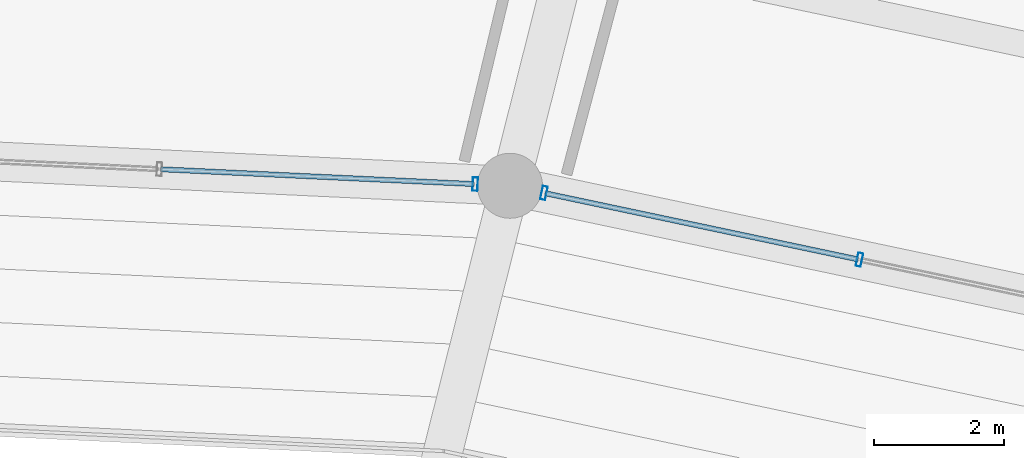
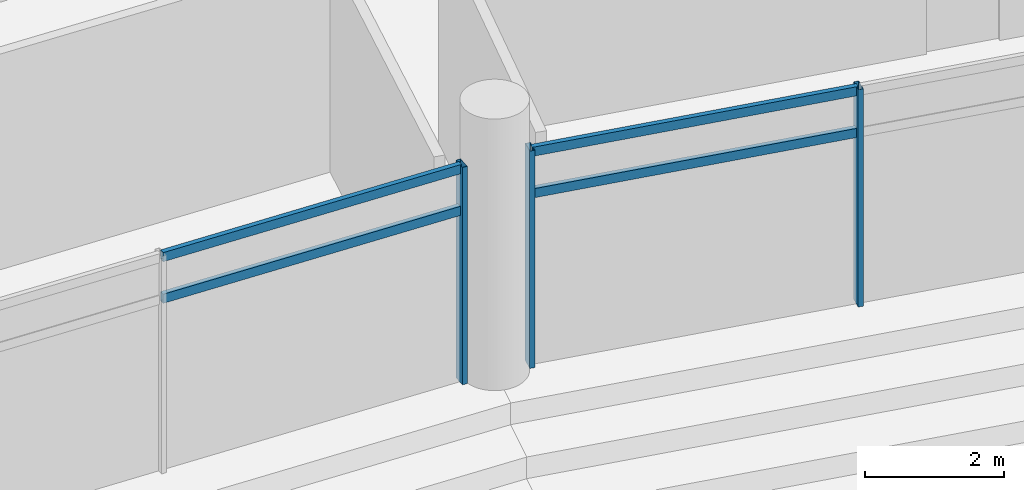
# One storey, part 97 of 171: 7 members, 2 elements without a shape of their own.
"""IFC4 building model written with IfcOpenShell, lengths in metres."""

import ifcopenshell
import ifcopenshell.guid

model = None  # the IFC model being written
_history = None  # IfcOwnerHistory: only IFC2X3 demands one
_inside = {}  # id of a spatial element -> (the spatial element, [elements in it])
_under = {}  # id of a project, library or spatial element -> (it, [spatial elements below it])
_declared = {}  # id of a project -> (the project, [libraries it declares])
_typed = {}  # id of a type object -> (the type object, [elements of that type])
_made_of = {}  # id of a material, layer set ... -> (it, [elements and type objects made of it])


def new_model(schema):
    """Start an empty IFC model of exactly this schema.

    Asked for "IFC4X3", IfcOpenShell would pick the latest addendum, in which some entities
    have other attributes; the version numbers below select the first issue.
    IFC2X3 requires an IfcOwnerHistory on every rooted entity: one is made here for all.
    """
    global model, _history
    if schema == "IFC4X3":
        model = ifcopenshell.file(schema_version=(4, 3, 0, 0))
    else:
        model = ifcopenshell.file(schema=schema)
    _inside.clear()
    _under.clear()
    _declared.clear()
    _typed.clear()
    _made_of.clear()
    _history = None
    if model.schema == "IFC2X3":
        org = make("IfcOrganization", Name="unknown")
        user = make(
            "IfcPersonAndOrganization",
            ThePerson=make("IfcPerson", FamilyName="unknown"),
            TheOrganization=org,
        )
        app = make(
            "IfcApplication",
            ApplicationDeveloper=org,
            Version="unknown",
            ApplicationFullName="unknown",
            ApplicationIdentifier="unknown",
        )
        _history = make(
            "IfcOwnerHistory",
            OwningUser=user,
            OwningApplication=app,
            ChangeAction="ADDED",
            CreationDate=0,
        )
    return model


def make(cls, **values):
    """One entity of the class cls with the attributes given. An attribute that is None is left unset."""
    return model.create_entity(
        cls, **{name: value for name, value in values.items() if value is not None}
    )


def rooted(cls, **values):
    """An entity with a GlobalId (a new one), such as an element, a storey or a relation."""
    return make(cls, GlobalId=ifcopenshell.guid.new(), OwnerHistory=_history, **values)


def si_unit(unit_type, name, prefix=None):
    """IfcSIUnit, for example si_unit("LENGTHUNIT", "METRE", prefix="MILLI")."""
    return make("IfcSIUnit", UnitType=unit_type, Prefix=prefix, Name=name)


def assignment(units):
    """IfcUnitAssignment: the units of a project."""
    return None if units is None else make("IfcUnitAssignment", Units=units)


def point(xyz):
    """IfcCartesianPoint."""
    return None if xyz is None else make("IfcCartesianPoint", Coordinates=xyz)


def direction(xyz):
    """IfcDirection."""
    return None if xyz is None else make("IfcDirection", DirectionRatios=xyz)


def frame(location, z_axis=None, x_axis=None):
    """IfcAxis2Placement3D, a coordinate frame: its origin and axes. An axis left out is left unset."""
    return make(
        "IfcAxis2Placement3D",
        Location=point(location),
        Axis=direction(z_axis),
        RefDirection=direction(x_axis),
    )


def frame_2d(location, x_axis=None):
    """IfcAxis2Placement2D, a coordinate frame in the plane: its origin and x axis."""
    return make(
        "IfcAxis2Placement2D", Location=point(location), RefDirection=direction(x_axis)
    )


def origin():
    """The frame at (0, 0, 0) with its axes left unset."""
    return frame((0.0, 0.0, 0.0))


def origin_2d():
    """The frame at (0, 0) in the plane with its x axis left unset."""
    return frame_2d((0.0, 0.0))


def place(relative_to, where):
    """IfcLocalPlacement: puts the frame where relative to a parent placement (None: the world)."""
    return make(
        "IfcLocalPlacement", PlacementRelTo=relative_to, RelativePlacement=where
    )


def context(
    kind, dimensions, precision=None, world=None, true_north=None, identifier=None
):
    """IfcGeometricRepresentationContext, for example the 3D "Model" context."""
    return make(
        "IfcGeometricRepresentationContext",
        ContextIdentifier=identifier,
        ContextType=kind,
        CoordinateSpaceDimension=dimensions,
        Precision=precision,
        WorldCoordinateSystem=world,
        TrueNorth=true_north,
    )


def subcontext(parent, identifier, kind, view, scale=None):
    """IfcGeometricRepresentationSubContext, for example "Body" below "Model"."""
    return make(
        "IfcGeometricRepresentationSubContext",
        ContextIdentifier=identifier,
        ContextType=kind,
        ParentContext=parent,
        TargetScale=scale,
        TargetView=view,
    )


def project(units=None, contexts=None):
    """IfcProject with its units and contexts."""
    return rooted(
        "IfcProject",
        Name="project",
        RepresentationContexts=contexts,
        UnitsInContext=assignment(units),
    )


def spatial(cls, under=None, at=None, **own):
    """A site, building, storey or space (cls), placed at a placement, below another one or the project."""
    s = rooted(cls, ObjectPlacement=at, **own)
    if under is not None:
        _under.setdefault(under.id(), (under, []))[1].append(s)
    return s


def profile(cls, at=None, kind="AREA", **sizes):
    """A parametric profile (cls). Its sizes go by their IFC names, for example OverallWidth=200.0."""
    return make(cls, ProfileType=kind, Position=at, **sizes)


def hollow_rectangle(**sizes):
    """IfcRectangleHollowProfileDef."""
    return profile("IfcRectangleHollowProfileDef", **sizes)


def extrude(swept, where, along, depth):
    """IfcExtrudedAreaSolid: the profile swept, set in the frame where, extruded along a direction by depth."""
    return make(
        "IfcExtrudedAreaSolid",
        SweptArea=swept,
        Position=where,
        ExtrudedDirection=direction(along),
        Depth=depth,
    )


def shape(context_of_items, identifier, shape_type, items):
    """IfcShapeRepresentation: the items that make up one representation, for example the "Body"."""
    return make(
        "IfcShapeRepresentation",
        ContextOfItems=context_of_items,
        RepresentationIdentifier=identifier,
        RepresentationType=shape_type,
        Items=items,
    )


def material(Name=None, Category=None):
    """IfcMaterial."""
    return make("IfcMaterial", Name=Name, Category=Category)


def layer(
    of_material, thickness, ventilated=None, Name=None, Category=None, Priority=None
):
    """IfcMaterialLayer: one layer of a wall or slab, of a material (None: an air gap)."""
    return make(
        "IfcMaterialLayer",
        Material=of_material,
        LayerThickness=thickness,
        IsVentilated=ventilated,
        Name=Name,
        Category=Category,
        Priority=Priority,
    )


def layer_set(layers, Name=None):
    """IfcMaterialLayerSet."""
    return make("IfcMaterialLayerSet", MaterialLayers=layers, LayerSetName=Name)


def material_profile(
    of_material, cross_section, Name=None, Category=None, Priority=None
):
    """IfcMaterialProfile: a cross section and its material."""
    return make(
        "IfcMaterialProfile",
        Name=Name,
        Material=of_material,
        Profile=cross_section,
        Priority=Priority,
        Category=Category,
    )


def profile_set(profiles, Name=None, composite=None):
    """IfcMaterialProfileSet."""
    return make(
        "IfcMaterialProfileSet",
        Name=Name,
        MaterialProfiles=profiles,
        CompositeProfile=composite,
    )


def made_of(thing, what):
    """Note that an element or type object is made of a material, layer set ...; save() writes the relation."""
    if what is not None:
        _made_of.setdefault(what.id(), (what, []))[1].append(thing)
    return thing


def type_object(cls, material=None, **own):
    """A type object (cls), such as IfcWallType, which elements share."""
    return made_of(rooted(cls, **own), material)


def element(
    cls,
    number,
    at=None,
    inside=None,
    cuts=None,
    type_object=None,
    material=None,
    context=None,
    identifier="Body",
    shape_type=None,
    held_by="IfcProductDefinitionShape",
    body=None,
    shapes=None,
    **own,
):
    """One element of the class cls, such as IfcWall. Its Tag is "e" and its number.

    at: its placement. inside: the storey or other place that contains it. cuts: it is an
    opening in that element (IfcRelVoidsElement). A single representation is given by context,
    identifier, shape_type and body (its items); several are given by shapes. held_by: the class
    of the entity that holds the representations. save() writes the other relations.
    """
    e = rooted(cls, Tag="e%d" % number, ObjectPlacement=at, **own)
    if body is not None:
        shapes = [shape(context, identifier, shape_type, body)]
    if shapes is not None:
        e.Representation = make(held_by, Representations=shapes)
    if inside is not None:
        _inside.setdefault(inside.id(), (inside, []))[1].append(e)
    if cuts is not None:
        rooted(
            "IfcRelVoidsElement", RelatingBuildingElement=cuts, RelatedOpeningElement=e
        )
    if type_object is not None:
        _typed.setdefault(type_object.id(), (type_object, []))[1].append(e)
    return made_of(e, material)


def aggregate(whole, parts):
    """IfcRelAggregates: a whole, such as a stair, and the parts it consists of."""
    return rooted("IfcRelAggregates", RelatingObject=whole, RelatedObjects=parts)


def save(model, path):
    """Write the relations noted so far, then the file.

    IfcRelAggregates (storeys below a building ...), IfcRelContainedInSpatialStructure (elements
    in a storey), IfcRelDefinesByType, IfcRelAssociatesMaterial and IfcRelDeclares: one each for
    every whole, place, type object, material and project.
    """
    for whole, parts in _under.values():
        aggregate(whole, parts)
    for where, things in _inside.values():
        rooted(
            "IfcRelContainedInSpatialStructure",
            RelatedElements=things,
            RelatingStructure=where,
        )
    for kind, things in _typed.values():
        rooted("IfcRelDefinesByType", RelatedObjects=things, RelatingType=kind)
    for what, things in _made_of.values():
        rooted("IfcRelAssociatesMaterial", RelatedObjects=things, RelatingMaterial=what)
    for by, libraries in _declared.values():
        rooted("IfcRelDeclares", RelatingContext=by, RelatedDefinitions=libraries)
    model.write(path)


model = new_model("IFC4")

# Units and contexts
model_context = context("Model", 3, precision=1e-05, world=origin(), true_north=direction((0.0, 1.0)))
body_context = subcontext(model_context, "Body", "Model", "MODEL_VIEW")
ifc_project = project(units=[si_unit("LENGTHUNIT", "METRE"), si_unit("AREAUNIT", "SQUARE_METRE"), si_unit("VOLUMEUNIT", "CUBIC_METRE"), si_unit("PLANEANGLEUNIT", "RADIAN"), si_unit("MASSUNIT", "GRAM", prefix="KILO")], contexts=[model_context])

# Site, building, storey
site_placement = place(None, origin())
site = spatial("IfcSite", under=ifc_project, at=site_placement, CompositionType="ELEMENT")
building_placement = place(site_placement, origin())
building = spatial("IfcBuilding", under=site, at=building_placement, Name="Kazemori Nagisa Stadium", CompositionType="ELEMENT")
storey_placement = place(building_placement, frame((0.0, 0.0, 15.639892578125)))
storey = spatial("IfcBuildingStorey", under=building, at=storey_placement, Name="L03", CompositionType="ELEMENT", Elevation=15.639892578125)

# Curtain wall, members
ifc_material_1 = material(Name="Anodised aluminium 6063-T5", Category="aluminium")
ifc_layer_1 = layer(ifc_material_1, 0.2099609375, Name="Anodised aluminium 6063-T5", Category="aluminium")
ifc_layer_set_1 = layer_set([ifc_layer_1], Name="Anodised aluminium 6063-T5")
curtain_wall_type_1 = type_object("IfcCurtainWallType", Name="CW_L03B_75", PredefinedType="USERDEFINED", material=ifc_layer_set_1)
curtain_wall_1_placement = place(storey_placement, origin())
curtain_wall_1 = element("IfcCurtainWall", 1, at=curtain_wall_1_placement, inside=storey, type_object=curtain_wall_type_1, Name="Unitised curtain wall CW-L03B-75 L03", ObjectType="UNITISED CURTAIN WALL", PredefinedType="USERDEFINED")
ifc_material_2 = material(Name="Aluminium 6063-T5 anodised", Category="aluminium")
ifc_material_profile_1 = material_profile(ifc_material_2, hollow_rectangle(XDim=0.080078125, YDim=0.2099609375, WallThickness=0.0048828125, at=origin_2d()), Name="ALU-MULL-80x210x5")
ifc_profile_set_1 = profile_set([ifc_material_profile_1], Name="Aluminium 6063-T5 anodised")
member_type_1 = type_object("IfcMemberType", Name="Mullion_M02", PredefinedType="MULLION", material=ifc_profile_set_1)
member_1_placement = place(storey_placement, frame((144.018310546875, 162.903076171875, 0.0), z_axis=(0.0, 0.0, 1.0), x_axis=(-0.978344955407, 0.206981033502, 0.0)))
member_1 = element("IfcMember", 2, at=member_1_placement, type_object=member_type_1, Name="Curtain wall mullion CW-L03B-75-M3", PredefinedType="MULLION", context=body_context, shape_type="SweptSolid", body=[
    extrude(hollow_rectangle(XDim=0.080078125, YDim=0.2099609375, WallThickness=0.0048828125, at=origin_2d()), origin(), (0.0, 0.0, 1.0), 3.81005859375),
])
member_2_placement = place(storey_placement, frame((139.16552734375, 163.9296875, 0.0), z_axis=(0.0, 0.0, 1.0), x_axis=(-0.978344955407, 0.206981033502, 0.0)))
member_2 = element("IfcMember", 3, at=member_2_placement, type_object=member_type_1, Name="Curtain wall mullion CW-L03B-75-M4", PredefinedType="MULLION", context=body_context, shape_type="SweptSolid", body=[
    extrude(hollow_rectangle(XDim=0.080078125, YDim=0.2099609375, WallThickness=0.0048828125, at=origin_2d()), origin(), (0.0, 0.0, 1.0), 3.81005859375),
])

# Curtain wall, member
ifc_layer_2 = layer(ifc_material_1, 0.2099609375, Name="Anodised aluminium 6063-T5", Category="aluminium")
ifc_layer_set_2 = layer_set([ifc_layer_2], Name="Anodised aluminium 6063-T5")
curtain_wall_type_2 = type_object("IfcCurtainWallType", Name="CW_L03B_73", PredefinedType="USERDEFINED", material=ifc_layer_set_2)
curtain_wall_2_placement = place(storey_placement, origin())
curtain_wall_2 = element("IfcCurtainWall", 4, at=curtain_wall_2_placement, inside=storey, type_object=curtain_wall_type_2, Name="Unitised curtain wall CW-L03B-73 L03", ObjectType="UNITISED CURTAIN WALL", PredefinedType="USERDEFINED")
member_3_placement = place(storey_placement, frame((138.10791015625, 164.065673828125, 0.0), z_axis=(0.0, 0.0, 1.0), x_axis=(-0.998884022476, 0.047230388971, 0.0)))
member_3 = element("IfcMember", 5, at=member_3_placement, type_object=member_type_1, Name="Curtain wall mullion CW-L03B-73-M1", PredefinedType="MULLION", context=body_context, shape_type="SweptSolid", body=[
    extrude(hollow_rectangle(XDim=0.080078125, YDim=0.2099609375, WallThickness=0.0048828125, at=origin_2d()), origin(), (0.0, 0.0, 1.0), 3.81005859375),
])

# Member
ifc_material_profile_2 = material_profile(ifc_material_2, hollow_rectangle(XDim=0.080078125, YDim=0.159912109375, WallThickness=0.00390625, at=origin_2d()), Name="ALU-TRAN-80x160x4")
ifc_profile_set_2 = profile_set([ifc_material_profile_2], Name="Aluminium 6063-T5 anodised")
member_type_2 = type_object("IfcMemberType", Name="Transom_T02", PredefinedType="USERDEFINED", material=ifc_profile_set_2)
member_4_placement = place(storey_placement, frame((143.998779296875, 162.9072265625, 3.010009765625), z_axis=(-0.978346611518, 0.206973205348, 0.0), x_axis=(-0.206973205348, -0.978346611518, 0.0)))
member_4 = element("IfcMember", 6, at=member_4_placement, type_object=member_type_2, Name="Curtain wall transom CW-L03B-75-T3-mid", ObjectType="TRANSOM", PredefinedType="USERDEFINED", context=body_context, shape_type="SweptSolid", body=[
    extrude(hollow_rectangle(XDim=0.080078125, YDim=0.159912109375, WallThickness=0.00390625, at=origin_2d()), origin(), (0.0, 0.0, 1.0), 4.919921875),
])

member_5_placement = place(storey_placement, frame((143.998779296875, 162.9072265625, 3.739990234375), z_axis=(-0.978346611518, 0.206973205348, 0.0), x_axis=(-0.206973205348, -0.978346611518, 0.0)))
member_5 = element("IfcMember", 7, at=member_5_placement, type_object=member_type_2, Name="Curtain wall transom CW-L03B-75-T3-head", ObjectType="TRANSOM", PredefinedType="USERDEFINED", context=body_context, shape_type="SweptSolid", body=[
    extrude(hollow_rectangle(XDim=0.080078125, YDim=0.159912109375, WallThickness=0.00390625, at=origin_2d()), origin(), (0.0, 0.0, 1.0), 4.919921875),
])

aggregate(curtain_wall_1, [member_1, member_2, member_4, member_5])

member_6_placement = place(storey_placement, frame((138.087890625, 164.066650390625, 3.010009765625), z_axis=(-0.998884227355, 0.047226055748, 0.0), x_axis=(-0.047226055748, -0.998884227355, 0.0)))
member_6 = element("IfcMember", 8, at=member_6_placement, type_object=member_type_2, Name="Curtain wall transom CW-L03B-73-T1-mid", ObjectType="TRANSOM", PredefinedType="USERDEFINED", context=body_context, shape_type="SweptSolid", body=[
    extrude(hollow_rectangle(XDim=0.080078125, YDim=0.159912109375, WallThickness=0.00390625, at=origin_2d()), origin(), (0.0, 0.0, 1.0), 4.8232421875),
])

member_7_placement = place(storey_placement, frame((138.087890625, 164.066650390625, 3.739990234375), z_axis=(-0.998884227355, 0.047226055748, 0.0), x_axis=(-0.047226055748, -0.998884227355, 0.0)))
member_7 = element("IfcMember", 9, at=member_7_placement, type_object=member_type_2, Name="Curtain wall transom CW-L03B-73-T1-head", ObjectType="TRANSOM", PredefinedType="USERDEFINED", context=body_context, shape_type="SweptSolid", body=[
    extrude(hollow_rectangle(XDim=0.080078125, YDim=0.159912109375, WallThickness=0.00390625, at=origin_2d()), origin(), (0.0, 0.0, 1.0), 4.8232421875),
])

aggregate(curtain_wall_2, [member_3, member_6, member_7])

save(model, "model.ifc")
